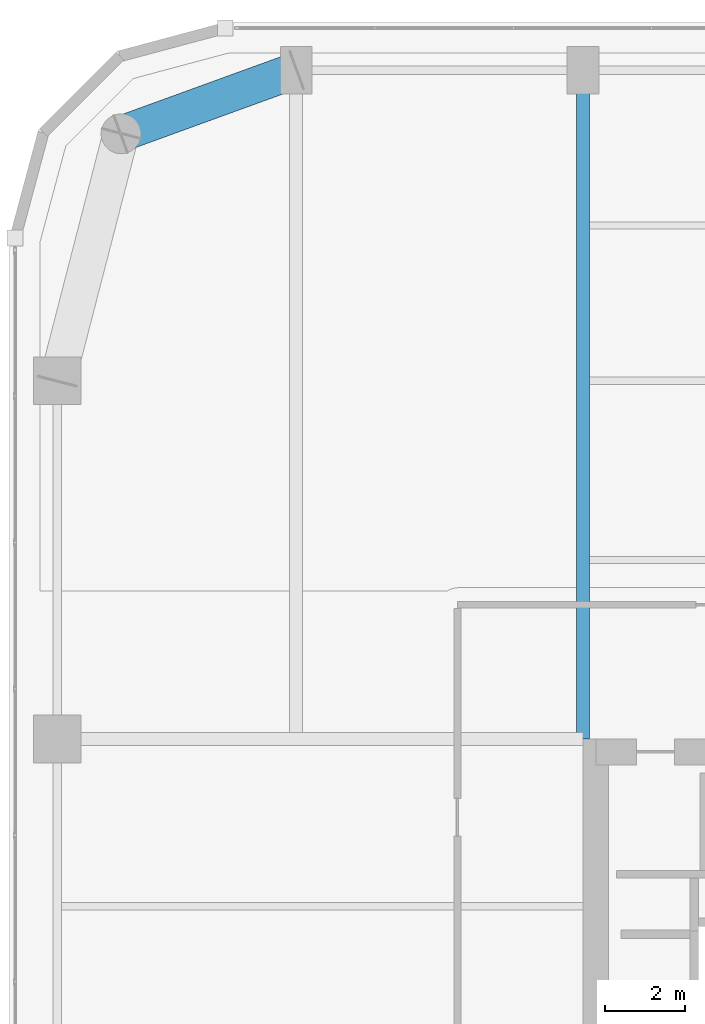
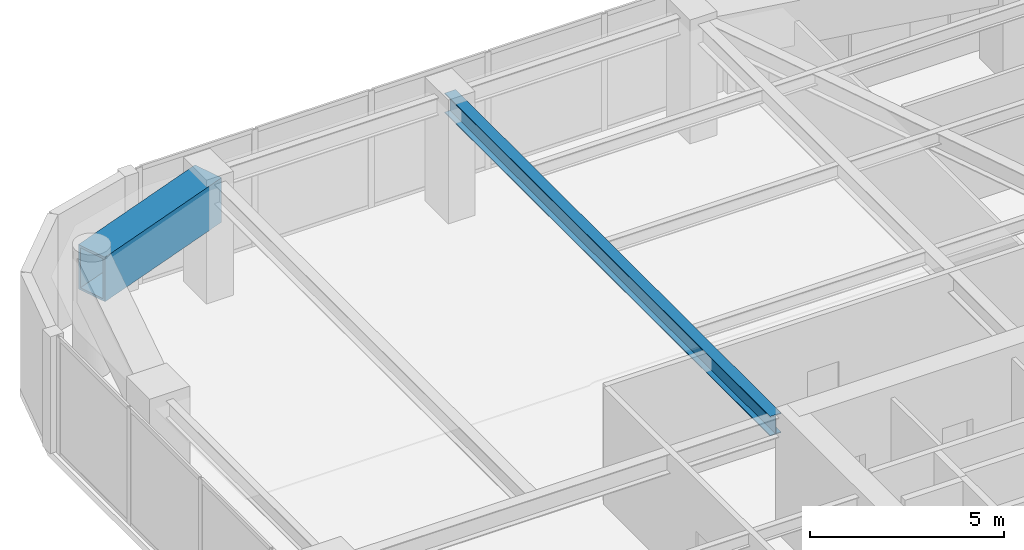
# One storey, part 16 of 30: 2 beams.
"""IFC4 building model written with IfcOpenShell, lengths in metres."""

from ifc_helpers import new_model, si_unit, direction, frame, origin, origin_2d, place, context, subcontext, project, spatial, hollow_rectangle, i_section, extrude, material, material_profile, profile_set, type_object, element, save


model = new_model("IFC4")

# Units and contexts
model_context = context("Model", 3, precision=1e-05, world=origin(), true_north=direction((0.0, 1.0)))
body_context = subcontext(model_context, "Body", "Model", "MODEL_VIEW")
ifc_project = project(units=[si_unit("LENGTHUNIT", "METRE"), si_unit("AREAUNIT", "SQUARE_METRE"), si_unit("VOLUMEUNIT", "CUBIC_METRE"), si_unit("PLANEANGLEUNIT", "RADIAN"), si_unit("MASSUNIT", "GRAM", prefix="KILO")], contexts=[model_context])

# Site, building, storey
site_placement = place(None, origin())
site = spatial("IfcSite", under=ifc_project, at=site_placement, CompositionType="ELEMENT")
building_placement = place(site_placement, origin())
building = spatial("IfcBuilding", under=site, at=building_placement, Name="Kiyonajd Concourse Tower", CompositionType="ELEMENT")
storey_placement = place(building_placement, frame((0.0, 0.0, 194.10009765625)))
storey = spatial("IfcBuildingStorey", under=building, at=storey_placement, Name="L49", CompositionType="ELEMENT", Elevation=194.10009765625)

# Beams
ifc_material_1 = material(Name="Steel ASTM A992 Grade 50", Category="steel")
ifc_material_profile_1 = material_profile(ifc_material_1, i_section(OverallWidth=0.326904296875, OverallDepth=0.6220703125, WebThickness=0.015380859375, FlangeThickness=0.0244140625, at=origin_2d()), Name="W610X195")
ifc_profile_set_1 = profile_set([ifc_material_profile_1], Name="Steel ASTM A992 Grade 50")
beam_type_1 = type_object("IfcBeamType", Name="BM-TWR-610A", PredefinedType="BEAM", material=ifc_profile_set_1)
beam_1_placement = place(storey_placement, frame((32.39990234375, 44.39990234375, 3.368896484375), z_axis=(0.0, 1.0, 0.0), x_axis=(-1.0, 0.0, 0.0)))
element("IfcBeam", 1, at=beam_1_placement, inside=storey, type_object=beam_type_1, Name="L49 North Lease Girder", PredefinedType="BEAM", context=body_context, shape_type="SweptSolid", body=[
    extrude(i_section(OverallWidth=0.326904296875, OverallDepth=0.6220703125, WebThickness=0.015380859375, FlangeThickness=0.0244140625, at=origin_2d()), origin(), (0.0, 0.0, 1.0), 16.800048828125),
])
ifc_material_2 = material(Name="Steel ASTM A572 Grade 50", Category="steel")
ifc_material_profile_2 = material_profile(ifc_material_2, hollow_rectangle(XDim=0.89990234375, YDim=1.39990234375, WallThickness=0.070068359375, at=origin_2d()), Name="BOX-1400x900x70")
ifc_profile_set_2 = profile_set([ifc_material_profile_2], Name="Steel ASTM A572 Grade 50")
beam_type_2 = type_object("IfcBeamType", Name="BM-XFER-1400", PredefinedType="BEAM", material=ifc_profile_set_2)
beam_2_placement = place(storey_placement, frame((25.199951171875, 61.199951171875, 2.97998046875), z_axis=(-0.939801036019, -0.341722127901, 0.0), x_axis=(0.341722127901, -0.939801036019, 0.0)))
element("IfcBeam", 2, at=beam_2_placement, inside=storey, type_object=beam_type_2, Name="L49 Perimeter Bundled Tube Spandrel", PredefinedType="BEAM", context=body_context, shape_type="SweptSolid", body=[
    extrude(hollow_rectangle(XDim=0.89990234375, YDim=1.39990234375, WallThickness=0.070068359375, at=origin_2d()), origin(), (0.0, 0.0, 1.0), 4.681640625),
])

save(model, "model.ifc")
